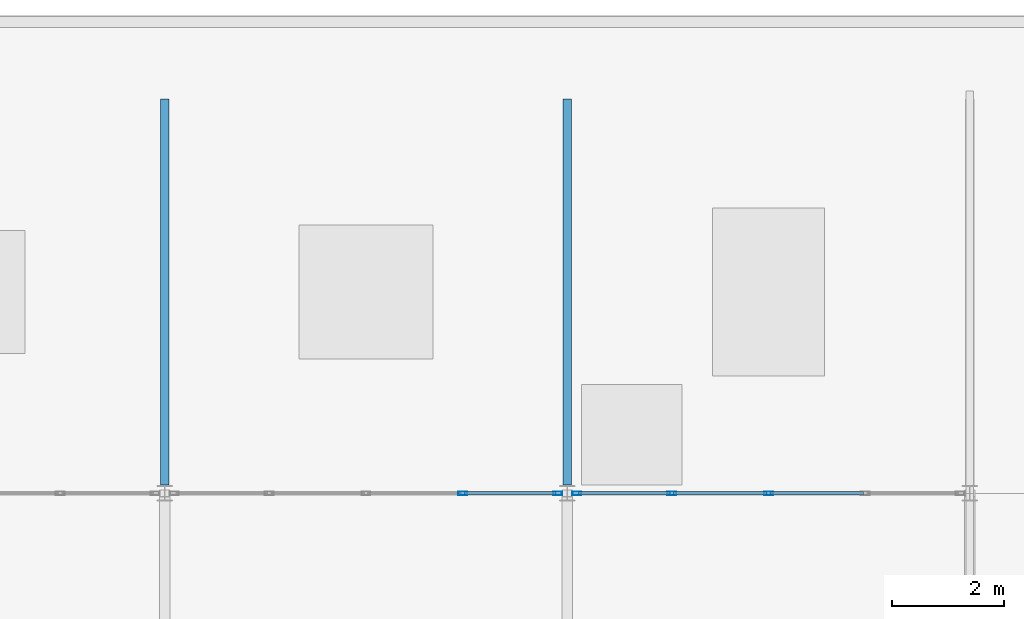
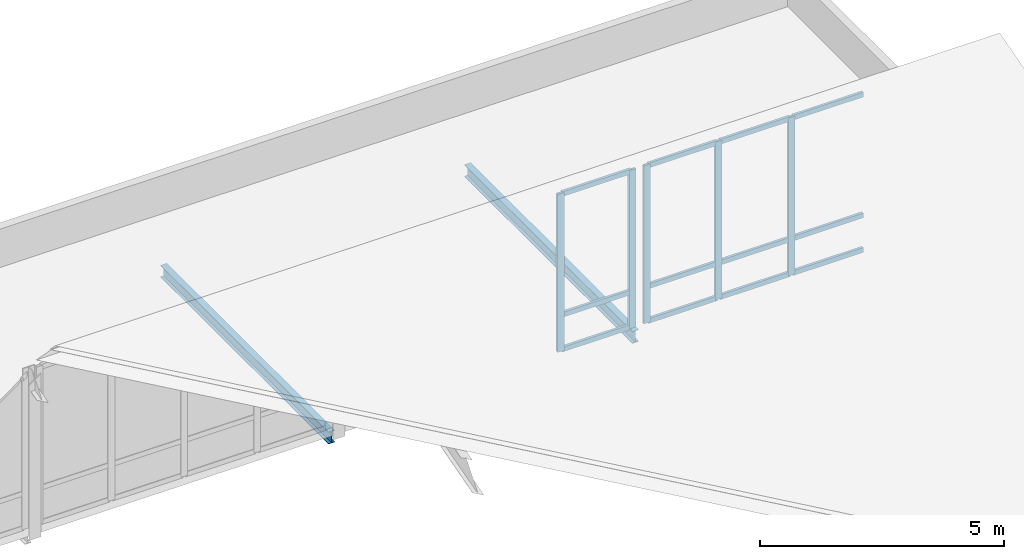
# One storey, part 86 of 157: 17 members, 2 beams, 2 elements without a shape of their own.
"""IFC4 building model written with IfcOpenShell, lengths in metres."""

from ifc_helpers import new_model, si_unit, direction, frame, origin, origin_2d, place, context, subcontext, project, spatial, hollow_rectangle, i_section, extrude, material, material_profile, profile_set, type_object, element, aggregate, save


model = new_model("IFC4")

# Units and contexts
model_context = context("Model", 3, precision=1e-05, world=origin(), true_north=direction((0.0, 1.0)))
body_context = subcontext(model_context, "Body", "Model", "MODEL_VIEW")
ifc_project = project(units=[si_unit("LENGTHUNIT", "METRE"), si_unit("AREAUNIT", "SQUARE_METRE"), si_unit("VOLUMEUNIT", "CUBIC_METRE"), si_unit("PLANEANGLEUNIT", "RADIAN"), si_unit("MASSUNIT", "GRAM", prefix="KILO")], contexts=[model_context])

# Site, building, storey
site_placement = place(None, origin())
site = spatial("IfcSite", under=ifc_project, at=site_placement, CompositionType="ELEMENT")
building_placement = place(site_placement, origin())
building = spatial("IfcBuilding", under=site, at=building_placement, Name="Suanplinth Sawtooth Commons", CompositionType="ELEMENT")
storey_placement = place(building_placement, frame((0.0, 0.0, 9.0)))
storey = spatial("IfcBuildingStorey", under=building, at=storey_placement, Name="L02", CompositionType="ELEMENT", Elevation=9.0)

# Beams
ifc_material_1 = material(Name="Steel S355JR", Category="steel")
ifc_material_profile_1 = material_profile(ifc_material_1, i_section(OverallWidth=0.14990234375, OverallDepth=0.300048828125, WebThickness=0.007080078125, FlangeThickness=0.0107421875, at=origin_2d()), Name="IPE 300")
ifc_profile_set_1 = profile_set([ifc_material_profile_1], Name="Steel S355JR")
beam_type = type_object("IfcBeamType", Name="B-13", PredefinedType="BEAM", material=ifc_profile_set_1)
for number, where, z_axis, x_axis, name in (
    (1, (158.39990234375, 64.949951171875, -0.14990234375), (0.0, 1.0, 0.0), (-1.0, 0.0, 0.0), "BMY-L02-NURS-FLAT-22"),
    (2, (165.60009765625, 64.949951171875, -0.14990234375), (0.0, 1.0, 0.0), (-1.0, 0.0, 0.0), "BMY-L02-NURS-FLAT-23"),
):
    element("IfcBeam", number, at=place(storey_placement, frame(where, z_axis=z_axis, x_axis=x_axis)), inside=storey, type_object=beam_type, Name=name, PredefinedType="BEAM", context=body_context, shape_type="SweptSolid", body=[
        extrude(i_section(OverallWidth=0.14990234375, OverallDepth=0.300048828125, WebThickness=0.007080078125, FlangeThickness=0.0107421875, at=origin_2d()), origin(), (0.0, 0.0, 1.0), 6.900146484375),
    ])

# Curtain wall, members
ifc_material_2 = material(Name="Anodized aluminium and low-E glazing", Category="aluminium")
curtain_wall_type = type_object("IfcCurtainWallType", Name="CW-03", PredefinedType="USERDEFINED", material=ifc_material_2)
curtain_wall_1_placement = place(storey_placement, origin())
curtain_wall_1 = element("IfcCurtainWall", 3, at=curtain_wall_1_placement, inside=storey, type_object=curtain_wall_type, Name="Curtain Wall CW-NURS-CLER-22", ObjectType="CURTAIN WALL", PredefinedType="USERDEFINED")
ifc_material_3 = material(Name="Anodized aluminium 6063-T6", Category="aluminium")
ifc_material_profile_2 = material_profile(ifc_material_3, hollow_rectangle(XDim=0.06494140625, YDim=0.159912109375, WallThickness=0.00390625, at=origin_2d()), Name="ALU-MUL 65x160")
ifc_profile_set_2 = profile_set([ifc_material_profile_2], Name="Anodized aluminium 6063-T6")
member_type_1 = type_object("IfcMemberType", Name="M-13", PredefinedType="MULLION", material=ifc_profile_set_2)
member_1_placement = place(storey_placement, frame((163.72998046875, 64.800048828125, 0.239990234375), z_axis=(0.0, 0.0, 1.0), x_axis=(0.0, 1.0, 0.0)))
member_1 = element("IfcMember", 4, at=member_1_placement, type_object=member_type_1, Name="CW-03 mullion 4", PredefinedType="MULLION", context=body_context, shape_type="SweptSolid", body=[
    extrude(hollow_rectangle(XDim=0.06494140625, YDim=0.159912109375, WallThickness=0.00390625, at=origin_2d()), origin(), (0.0, 0.0, 1.0), 3.9599609375),
])
member_2_placement = place(storey_placement, frame((165.427490234375, 64.800048828125, 0.239990234375), z_axis=(0.0, 0.0, 1.0), x_axis=(0.0, 1.0, 0.0)))
member_2 = element("IfcMember", 5, at=member_2_placement, type_object=member_type_1, Name="CW-03 mullion 5", PredefinedType="MULLION", context=body_context, shape_type="SweptSolid", body=[
    extrude(hollow_rectangle(XDim=0.06494140625, YDim=0.159912109375, WallThickness=0.00390625, at=origin_2d()), origin(), (0.0, 0.0, 1.0), 3.9599609375),
])

curtain_wall_2_placement = place(storey_placement, origin())
curtain_wall_2 = element("IfcCurtainWall", 6, at=curtain_wall_2_placement, inside=storey, type_object=curtain_wall_type, Name="Curtain Wall CW-NURS-CLER-23", ObjectType="CURTAIN WALL", PredefinedType="USERDEFINED")
member_3_placement = place(storey_placement, frame((165.7724609375, 64.800048828125, 0.239990234375), z_axis=(0.0, 0.0, 1.0), x_axis=(0.0, 1.0, 0.0)))
member_3 = element("IfcMember", 7, at=member_3_placement, type_object=member_type_1, Name="CW-03 mullion 1", PredefinedType="MULLION", context=body_context, shape_type="SweptSolid", body=[
    extrude(hollow_rectangle(XDim=0.06494140625, YDim=0.159912109375, WallThickness=0.00390625, at=origin_2d()), origin(), (0.0, 0.0, 1.0), 3.9599609375),
])
member_4_placement = place(storey_placement, frame((167.469970703125, 64.800048828125, 0.239990234375), z_axis=(0.0, 0.0, 1.0), x_axis=(0.0, 1.0, 0.0)))
member_4 = element("IfcMember", 8, at=member_4_placement, type_object=member_type_1, Name="CW-03 mullion 2", PredefinedType="MULLION", context=body_context, shape_type="SweptSolid", body=[
    extrude(hollow_rectangle(XDim=0.06494140625, YDim=0.159912109375, WallThickness=0.00390625, at=origin_2d()), origin(), (0.0, 0.0, 1.0), 3.9599609375),
])
member_5_placement = place(storey_placement, frame((169.199951171875, 64.800048828125, 0.239990234375), z_axis=(0.0, 0.0, 1.0), x_axis=(0.0, 1.0, 0.0)))
member_5 = element("IfcMember", 9, at=member_5_placement, type_object=member_type_1, Name="CW-03 mullion 3", PredefinedType="MULLION", context=body_context, shape_type="SweptSolid", body=[
    extrude(hollow_rectangle(XDim=0.06494140625, YDim=0.159912109375, WallThickness=0.00390625, at=origin_2d()), origin(), (0.0, 0.0, 1.0), 3.9599609375),
])

# Member
ifc_material_profile_3 = material_profile(ifc_material_3, hollow_rectangle(XDim=0.06494140625, YDim=0.1201171875, WallThickness=0.00390625, at=origin_2d()), Name="ALU-TRN 65x120")
ifc_profile_set_3 = profile_set([ifc_material_profile_3], Name="Anodized aluminium 6063-T6")
member_type_2 = type_object("IfcMemberType", Name="M-15", PredefinedType="USERDEFINED", material=ifc_profile_set_3)
member_6_placement = place(storey_placement, frame((163.762451171875, 64.800048828125, 0.2724609375), z_axis=(1.0, 0.0, 0.0), x_axis=(0.0, 1.0, 0.0)))
member_6 = element("IfcMember", 10, at=member_6_placement, type_object=member_type_2, Name="CW-03 transom 4.1", ObjectType="TRANSOM", PredefinedType="USERDEFINED", context=body_context, shape_type="SweptSolid", body=[
    extrude(hollow_rectangle(XDim=0.06494140625, YDim=0.1201171875, WallThickness=0.00390625, at=origin_2d()), origin(), (0.0, 0.0, 1.0), 1.632568359375),
])

member_7_placement = place(storey_placement, frame((163.762451171875, 64.800048828125, 1.139892578125), z_axis=(1.0, 0.0, 0.0), x_axis=(0.0, 1.0, 0.0)))
member_7 = element("IfcMember", 11, at=member_7_placement, type_object=member_type_2, Name="CW-03 transom 4.2", ObjectType="TRANSOM", PredefinedType="USERDEFINED", context=body_context, shape_type="SweptSolid", body=[
    extrude(hollow_rectangle(XDim=0.06494140625, YDim=0.1201171875, WallThickness=0.00390625, at=origin_2d()), origin(), (0.0, 0.0, 1.0), 1.632568359375),
])

member_8_placement = place(storey_placement, frame((163.762451171875, 64.800048828125, 4.16748046875), z_axis=(1.0, 0.0, 0.0), x_axis=(0.0, 1.0, 0.0)))
member_8 = element("IfcMember", 12, at=member_8_placement, type_object=member_type_2, Name="CW-03 transom 4.3", ObjectType="TRANSOM", PredefinedType="USERDEFINED", context=body_context, shape_type="SweptSolid", body=[
    extrude(hollow_rectangle(XDim=0.06494140625, YDim=0.1201171875, WallThickness=0.00390625, at=origin_2d()), origin(), (0.0, 0.0, 1.0), 1.632568359375),
])

aggregate(curtain_wall_1, [member_1, member_2, member_6, member_7, member_8])

member_9_placement = place(storey_placement, frame((165.804931640625, 64.800048828125, 0.2724609375), z_axis=(1.0, 0.0, 0.0), x_axis=(0.0, 1.0, 0.0)))
member_9 = element("IfcMember", 13, at=member_9_placement, type_object=member_type_2, Name="CW-03 transom 1.1", ObjectType="TRANSOM", PredefinedType="USERDEFINED", context=body_context, shape_type="SweptSolid", body=[
    extrude(hollow_rectangle(XDim=0.06494140625, YDim=0.1201171875, WallThickness=0.00390625, at=origin_2d()), origin(), (0.0, 0.0, 1.0), 1.632568359375),
])

member_10_placement = place(storey_placement, frame((165.804931640625, 64.800048828125, 1.139892578125), z_axis=(1.0, 0.0, 0.0), x_axis=(0.0, 1.0, 0.0)))
member_10 = element("IfcMember", 14, at=member_10_placement, type_object=member_type_2, Name="CW-03 transom 1.2", ObjectType="TRANSOM", PredefinedType="USERDEFINED", context=body_context, shape_type="SweptSolid", body=[
    extrude(hollow_rectangle(XDim=0.06494140625, YDim=0.1201171875, WallThickness=0.00390625, at=origin_2d()), origin(), (0.0, 0.0, 1.0), 1.632568359375),
])

member_11_placement = place(storey_placement, frame((165.804931640625, 64.800048828125, 4.16748046875), z_axis=(1.0, 0.0, 0.0), x_axis=(0.0, 1.0, 0.0)))
member_11 = element("IfcMember", 15, at=member_11_placement, type_object=member_type_2, Name="CW-03 transom 1.3", ObjectType="TRANSOM", PredefinedType="USERDEFINED", context=body_context, shape_type="SweptSolid", body=[
    extrude(hollow_rectangle(XDim=0.06494140625, YDim=0.1201171875, WallThickness=0.00390625, at=origin_2d()), origin(), (0.0, 0.0, 1.0), 1.632568359375),
])

member_12_placement = place(storey_placement, frame((167.50244140625, 64.800048828125, 0.2724609375), z_axis=(1.0, 0.0, 0.0), x_axis=(0.0, 1.0, 0.0)))
member_12 = element("IfcMember", 16, at=member_12_placement, type_object=member_type_2, Name="CW-03 transom 2.1", ObjectType="TRANSOM", PredefinedType="USERDEFINED", context=body_context, shape_type="SweptSolid", body=[
    extrude(hollow_rectangle(XDim=0.06494140625, YDim=0.1201171875, WallThickness=0.00390625, at=origin_2d()), origin(), (0.0, 0.0, 1.0), 1.6650390625),
])

member_13_placement = place(storey_placement, frame((167.50244140625, 64.800048828125, 1.139892578125), z_axis=(1.0, 0.0, 0.0), x_axis=(0.0, 1.0, 0.0)))
member_13 = element("IfcMember", 17, at=member_13_placement, type_object=member_type_2, Name="CW-03 transom 2.2", ObjectType="TRANSOM", PredefinedType="USERDEFINED", context=body_context, shape_type="SweptSolid", body=[
    extrude(hollow_rectangle(XDim=0.06494140625, YDim=0.1201171875, WallThickness=0.00390625, at=origin_2d()), origin(), (0.0, 0.0, 1.0), 1.6650390625),
])

member_14_placement = place(storey_placement, frame((167.50244140625, 64.800048828125, 4.16748046875), z_axis=(1.0, 0.0, 0.0), x_axis=(0.0, 1.0, 0.0)))
member_14 = element("IfcMember", 18, at=member_14_placement, type_object=member_type_2, Name="CW-03 transom 2.3", ObjectType="TRANSOM", PredefinedType="USERDEFINED", context=body_context, shape_type="SweptSolid", body=[
    extrude(hollow_rectangle(XDim=0.06494140625, YDim=0.1201171875, WallThickness=0.00390625, at=origin_2d()), origin(), (0.0, 0.0, 1.0), 1.6650390625),
])

member_15_placement = place(storey_placement, frame((169.232421875, 64.800048828125, 0.2724609375), z_axis=(1.0, 0.0, 0.0), x_axis=(0.0, 1.0, 0.0)))
member_15 = element("IfcMember", 19, at=member_15_placement, type_object=member_type_2, Name="CW-03 transom 3.1", ObjectType="TRANSOM", PredefinedType="USERDEFINED", context=body_context, shape_type="SweptSolid", body=[
    extrude(hollow_rectangle(XDim=0.06494140625, YDim=0.1201171875, WallThickness=0.00390625, at=origin_2d()), origin(), (0.0, 0.0, 1.0), 1.6650390625),
])

member_16_placement = place(storey_placement, frame((169.232421875, 64.800048828125, 1.139892578125), z_axis=(1.0, 0.0, 0.0), x_axis=(0.0, 1.0, 0.0)))
member_16 = element("IfcMember", 20, at=member_16_placement, type_object=member_type_2, Name="CW-03 transom 3.2", ObjectType="TRANSOM", PredefinedType="USERDEFINED", context=body_context, shape_type="SweptSolid", body=[
    extrude(hollow_rectangle(XDim=0.06494140625, YDim=0.1201171875, WallThickness=0.00390625, at=origin_2d()), origin(), (0.0, 0.0, 1.0), 1.6650390625),
])

member_17_placement = place(storey_placement, frame((169.232421875, 64.800048828125, 4.16748046875), z_axis=(1.0, 0.0, 0.0), x_axis=(0.0, 1.0, 0.0)))
member_17 = element("IfcMember", 21, at=member_17_placement, type_object=member_type_2, Name="CW-03 transom 3.3", ObjectType="TRANSOM", PredefinedType="USERDEFINED", context=body_context, shape_type="SweptSolid", body=[
    extrude(hollow_rectangle(XDim=0.06494140625, YDim=0.1201171875, WallThickness=0.00390625, at=origin_2d()), origin(), (0.0, 0.0, 1.0), 1.6650390625),
])

aggregate(curtain_wall_2, [member_3, member_4, member_5, member_9, member_10, member_11, member_12, member_13, member_14, member_15, member_16, member_17])

save(model, "model.ifc")
